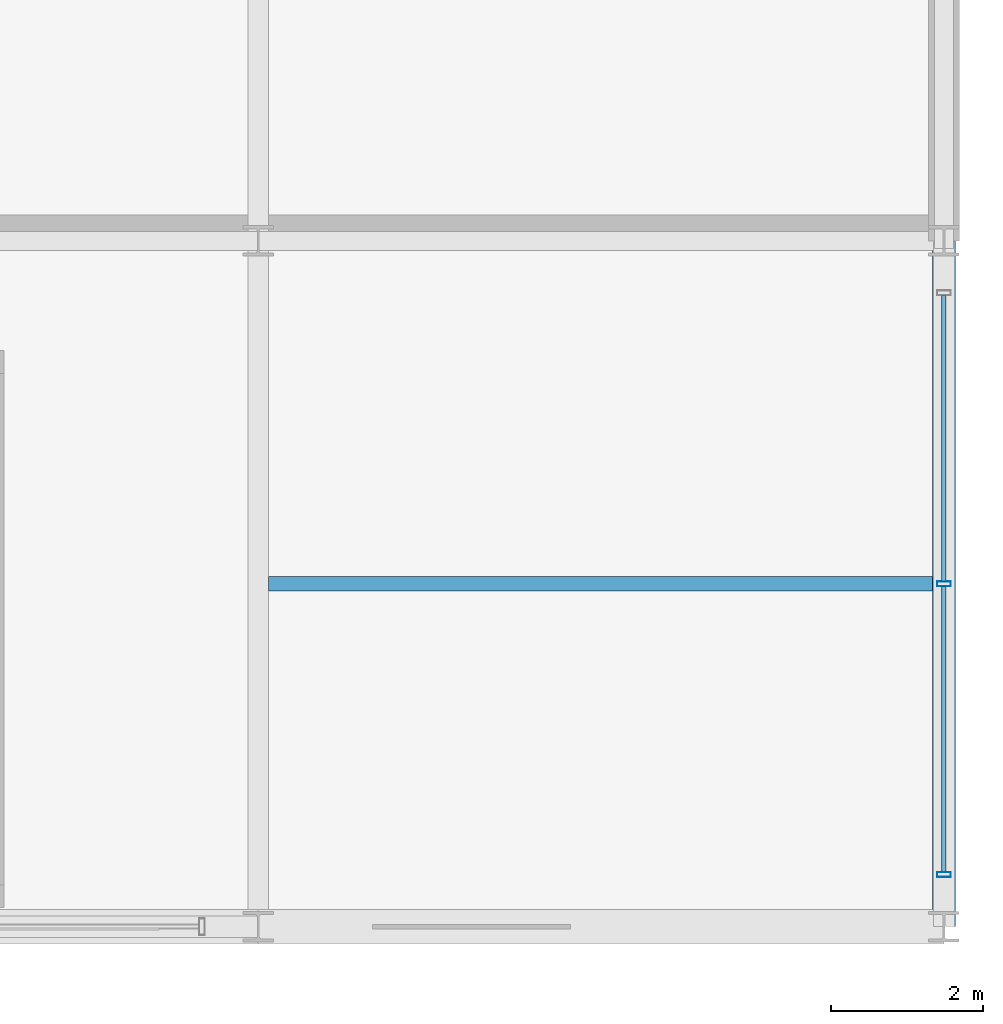
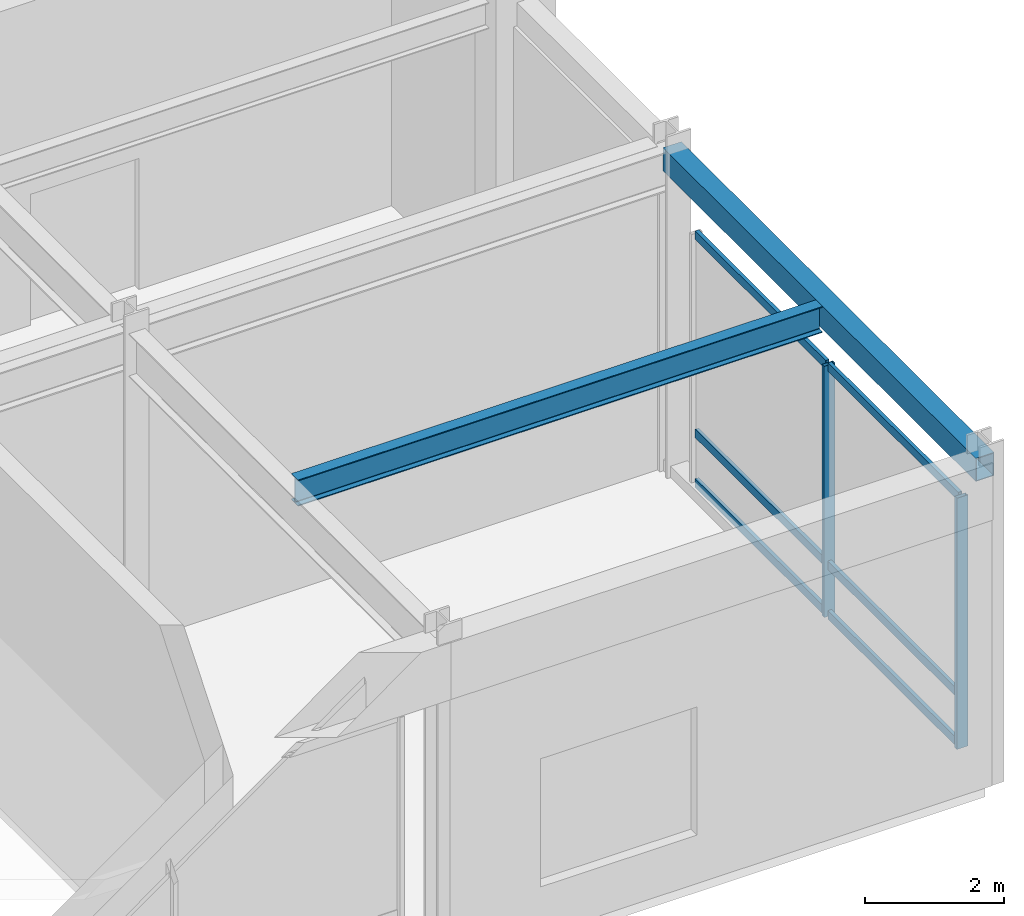
# One storey, part 39 of 105: 8 members, 2 beams, 1 element without a shape of its own.
"""IFC4 building model written with IfcOpenShell, lengths in metres."""

from ifc_helpers import new_model, si_unit, direction, frame, origin, origin_2d, place, context, subcontext, project, spatial, hollow_rectangle, i_section, extrude, material, material_profile, profile_set, type_object, element, aggregate, save


model = new_model("IFC4")

# Units and contexts
model_context = context("Model", 3, precision=1e-05, world=origin(), true_north=direction((0.0, 1.0)))
body_context = subcontext(model_context, "Body", "Model", "MODEL_VIEW")
ifc_project = project(units=[si_unit("LENGTHUNIT", "METRE"), si_unit("AREAUNIT", "SQUARE_METRE"), si_unit("VOLUMEUNIT", "CUBIC_METRE"), si_unit("PLANEANGLEUNIT", "RADIAN"), si_unit("MASSUNIT", "GRAM", prefix="KILO")], contexts=[model_context])

# Site, building, storey
site_placement = place(None, origin())
site = spatial("IfcSite", under=ifc_project, at=site_placement, CompositionType="ELEMENT")
building_placement = place(site_placement, origin())
building = spatial("IfcBuilding", under=site, at=building_placement, Name="Kaldorvane Square Convention Centre", CompositionType="ELEMENT")
storey_placement = place(building_placement, frame((0.0, 0.0, 6.0)))
storey = spatial("IfcBuildingStorey", under=building, at=storey_placement, Name="L01", CompositionType="ELEMENT", Elevation=6.0)

# Beams
ifc_material_1 = material(Name="Steel ASTM A992 Gr. 50", Category="steel")
ifc_material_profile_1 = material_profile(ifc_material_1, i_section(OverallWidth=0.1912994384765625, OverallDepth=0.4600067138671875, WebThickness=0.0099029541015625, FlangeThickness=0.0160064697265625, FilletRadius=0.01019287109375, at=origin_2d()), Name="W18X55")
ifc_profile_set_1 = profile_set([ifc_material_profile_1], Name="Steel ASTM A992 Gr. 50")
beam_type_1 = type_object("IfcBeamType", Name="BM-JS-W18X55", PredefinedType="JOIST", material=ifc_profile_set_1)
beam_1_placement = place(storey_placement, frame((165.13330078125, 4.5, 5.4459991455078125), z_axis=(1.0, 0.0, 0.0), x_axis=(0.0, 1.0, 0.0)))
element("IfcBeam", 1, at=beam_1_placement, inside=storey, type_object=beam_type_1, Name="Secondary Floor Joist (L01)", PredefinedType="JOIST", context=body_context, shape_type="SweptSolid", body=[
    extrude(i_section(OverallWidth=0.1912994384765625, OverallDepth=0.4600067138671875, WebThickness=0.0099029541015625, FlangeThickness=0.0160064697265625, FilletRadius=0.01019287109375, at=origin_2d()), origin(), (0.0, 0.0, 1.0), 8.71429443359375),
])
ifc_material_2 = material(Name="Steel ASTM A500 Gr. C", Category="steel")
ifc_material_profile_2 = material_profile(ifc_material_2, hollow_rectangle(XDim=0.3047943115234375, YDim=0.406402587890625, WallThickness=0.0117950439453125, at=origin_2d()), Name="HSS16X12X1/2")
ifc_profile_set_2 = profile_set([ifc_material_profile_2], Name="Steel ASTM A500 Gr. C")
beam_type_2 = type_object("IfcBeamType", Name="BM-SP-HSS16", PredefinedType="SPANDREL", material=ifc_profile_set_2)
beam_2_placement = place(storey_placement, frame((174.0, 0.0, 5.4727935791015625), z_axis=(0.0, 1.0, 0.0), x_axis=(-1.0, 0.0, 0.0)))
element("IfcBeam", 2, at=beam_2_placement, inside=storey, type_object=beam_type_2, Name="End Spandrel (L01)", PredefinedType="SPANDREL", context=body_context, shape_type="SweptSolid", body=[
    extrude(hollow_rectangle(XDim=0.3047943115234375, YDim=0.406402587890625, WallThickness=0.0117950439453125, at=origin_2d()), origin(), (0.0, 0.0, 1.0), 9.0),
])

# Curtain wall, members
ifc_material_3 = material(Name="Anodized Aluminum and Low-E Insulated Glazing", Category="aluminium")
curtain_wall_type = type_object("IfcCurtainWallType", Name="CW-UNI-P60-09", PredefinedType="USERDEFINED", material=ifc_material_3)
curtain_wall_placement = place(storey_placement, origin())
curtain_wall = element("IfcCurtainWall", 3, at=curtain_wall_placement, inside=storey, type_object=curtain_wall_type, Name="Curtain Wall CW-02 (L01)", ObjectType="UNITISED GLAZING", PredefinedType="USERDEFINED")
ifc_material_profile_3 = material_profile(ifc_material_3, hollow_rectangle(XDim=0.06500244140625, YDim=0.17999267578125, WallThickness=0.0034942626953125, at=origin_2d()), Name="CWM-180X65")
ifc_profile_set_3 = profile_set([ifc_material_profile_3], Name="Anodized Aluminum and Low-E Insulated Glazing")
member_type_1 = type_object("IfcMemberType", Name="CW-MUL-180", PredefinedType="MULLION", material=ifc_profile_set_3)
member_1_placement = place(storey_placement, frame((174.0, 0.6824951171875, 0.149993896484375), z_axis=(0.0, 0.0, 1.0), x_axis=(0.0, 1.0, 0.0)))
member_1 = element("IfcMember", 4, at=member_1_placement, type_object=member_type_1, Name="CW-02 mullion 1", PredefinedType="MULLION", context=body_context, shape_type="SweptSolid", body=[
    extrude(hollow_rectangle(XDim=0.06500244140625, YDim=0.17999267578125, WallThickness=0.0034942626953125, at=origin_2d()), origin(), (0.0, 0.0, 1.0), 4.410003662109375),
])
member_2_placement = place(storey_placement, frame((174.0, 4.5, 0.149993896484375), z_axis=(0.0, 0.0, 1.0), x_axis=(0.0, 1.0, 0.0)))
member_2 = element("IfcMember", 5, at=member_2_placement, type_object=member_type_1, Name="CW-02 mullion 2", PredefinedType="MULLION", context=body_context, shape_type="SweptSolid", body=[
    extrude(hollow_rectangle(XDim=0.06500244140625, YDim=0.17999267578125, WallThickness=0.0034942626953125, at=origin_2d()), origin(), (0.0, 0.0, 1.0), 4.410003662109375),
])
ifc_material_profile_4 = material_profile(ifc_material_3, hollow_rectangle(XDim=0.05999755859375, YDim=0.149993896484375, WallThickness=0.003204345703125, at=origin_2d()), Name="CWT-150X60")
ifc_profile_set_4 = profile_set([ifc_material_profile_4], Name="Anodized Aluminum and Low-E Insulated Glazing")
member_type_2 = type_object("IfcMemberType", Name="CW-TRN-150", PredefinedType="USERDEFINED", material=ifc_profile_set_4)
member_3_placement = place(storey_placement, frame((174.0, 0.714996337890625, 0.17999267578125), z_axis=(0.0, 1.0, 0.0), x_axis=(-1.0, 0.0, 0.0)))
member_3 = element("IfcMember", 6, at=member_3_placement, type_object=member_type_2, Name="CW-02 transom 1.1", ObjectType="TRANSOM", PredefinedType="USERDEFINED", context=body_context, shape_type="SweptSolid", body=[
    extrude(hollow_rectangle(XDim=0.05999755859375, YDim=0.149993896484375, WallThickness=0.003204345703125, at=origin_2d()), origin(), (0.0, 0.0, 1.0), 3.75250244140625),
])
member_4_placement = place(storey_placement, frame((174.0, 0.714996337890625, 1.0500030517578125), z_axis=(0.0, 1.0, 0.0), x_axis=(-1.0, 0.0, 0.0)))
member_4 = element("IfcMember", 7, at=member_4_placement, type_object=member_type_2, Name="CW-02 transom 1.2", ObjectType="TRANSOM", PredefinedType="USERDEFINED", context=body_context, shape_type="SweptSolid", body=[
    extrude(hollow_rectangle(XDim=0.05999755859375, YDim=0.149993896484375, WallThickness=0.003204345703125, at=origin_2d()), origin(), (0.0, 0.0, 1.0), 3.75250244140625),
])
member_5_placement = place(storey_placement, frame((174.0, 0.714996337890625, 4.529998779296875), z_axis=(0.0, 1.0, 0.0), x_axis=(-1.0, 0.0, 0.0)))
member_5 = element("IfcMember", 8, at=member_5_placement, type_object=member_type_2, Name="CW-02 transom 1.3", ObjectType="TRANSOM", PredefinedType="USERDEFINED", context=body_context, shape_type="SweptSolid", body=[
    extrude(hollow_rectangle(XDim=0.05999755859375, YDim=0.149993896484375, WallThickness=0.003204345703125, at=origin_2d()), origin(), (0.0, 0.0, 1.0), 3.75250244140625),
])
member_6_placement = place(storey_placement, frame((174.0, 4.532501220703125, 0.17999267578125), z_axis=(0.0, 1.0, 0.0), x_axis=(-1.0, 0.0, 0.0)))
member_6 = element("IfcMember", 9, at=member_6_placement, type_object=member_type_2, Name="CW-02 transom 2.1", ObjectType="TRANSOM", PredefinedType="USERDEFINED", context=body_context, shape_type="SweptSolid", body=[
    extrude(hollow_rectangle(XDim=0.05999755859375, YDim=0.149993896484375, WallThickness=0.003204345703125, at=origin_2d()), origin(), (0.0, 0.0, 1.0), 3.75250244140625),
])
member_7_placement = place(storey_placement, frame((174.0, 4.532501220703125, 1.0500030517578125), z_axis=(0.0, 1.0, 0.0), x_axis=(-1.0, 0.0, 0.0)))
member_7 = element("IfcMember", 10, at=member_7_placement, type_object=member_type_2, Name="CW-02 transom 2.2", ObjectType="TRANSOM", PredefinedType="USERDEFINED", context=body_context, shape_type="SweptSolid", body=[
    extrude(hollow_rectangle(XDim=0.05999755859375, YDim=0.149993896484375, WallThickness=0.003204345703125, at=origin_2d()), origin(), (0.0, 0.0, 1.0), 3.75250244140625),
])
member_8_placement = place(storey_placement, frame((174.0, 4.532501220703125, 4.529998779296875), z_axis=(0.0, 1.0, 0.0), x_axis=(-1.0, 0.0, 0.0)))
member_8 = element("IfcMember", 11, at=member_8_placement, type_object=member_type_2, Name="CW-02 transom 2.3", ObjectType="TRANSOM", PredefinedType="USERDEFINED", context=body_context, shape_type="SweptSolid", body=[
    extrude(hollow_rectangle(XDim=0.05999755859375, YDim=0.149993896484375, WallThickness=0.003204345703125, at=origin_2d()), origin(), (0.0, 0.0, 1.0), 3.75250244140625),
])
aggregate(curtain_wall, [member_1, member_2, member_3, member_4, member_5, member_6, member_7, member_8])

save(model, "model.ifc")
